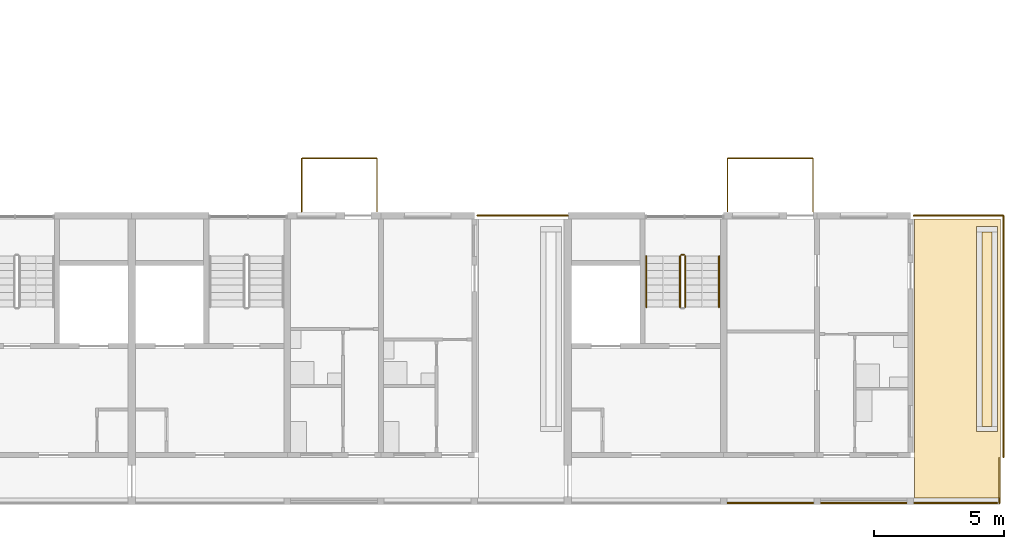
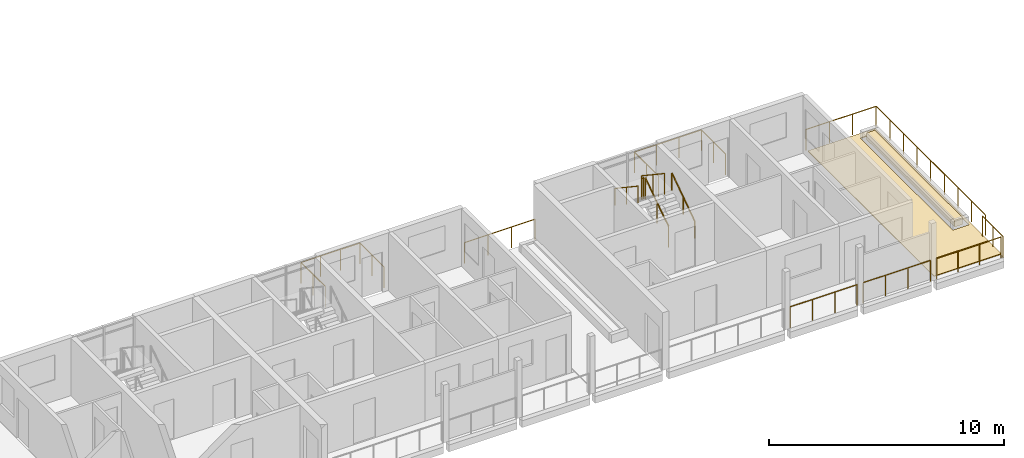
# One storey, part 52 of 55: 13 railings, 3 coverings.
"""IFC4 building model written with IfcOpenShell, lengths in metres."""

from ifc_helpers import new_model, si_unit, direction, frame, origin, origin_2d, place, context, subcontext, project, spatial, polyline, circle, outline, extrude, material, layer, layer_set, type_object, element, save


model = new_model("IFC4")

# Units and contexts
model_context = context("Model", 3, precision=1e-05, world=origin(), true_north=direction((0.0, 1.0)))
body_context = subcontext(model_context, "Body", "Model", "MODEL_VIEW")
ifc_project = project(units=[si_unit("LENGTHUNIT", "METRE"), si_unit("AREAUNIT", "SQUARE_METRE"), si_unit("VOLUMEUNIT", "CUBIC_METRE"), si_unit("PLANEANGLEUNIT", "RADIAN"), si_unit("MASSUNIT", "GRAM", prefix="KILO")], contexts=[model_context])

# Site, building, storey
site_placement = place(None, origin())
site = spatial("IfcSite", under=ifc_project, at=site_placement, CompositionType="ELEMENT")
building_placement = place(site_placement, origin())
building = spatial("IfcBuilding", under=site, at=building_placement, Name="Ridgestep Commons", CompositionType="ELEMENT")
storey_placement = place(building_placement, frame((0.0, 0.0, 36.0)))
storey = spatial("IfcBuildingStorey", under=building, at=storey_placement, Name="L12", CompositionType="ELEMENT", Elevation=36.0)

# Railings
ifc_material_1 = material(Name="Structural steel S355JR", Category="steel")
railing_type_1 = type_object("IfcRailingType", Name="Guard 1100", PredefinedType="GUARDRAIL", material=ifc_material_1)
railing_1_placement = place(storey_placement, frame((230.800048828125, 22.875, 0.0)))
element("IfcRailing", 1, at=railing_1_placement, inside=storey, type_object=railing_type_1, Name="Guard TD-D5R1-GD", PredefinedType="GUARDRAIL", context=body_context, shape_type="SweptSolid", body=[
    extrude(circle(Radius=0.02392578125, at=origin_2d()), frame((0.0, 0.0, 1.076171875), z_axis=(-1.0, 0.0, 0.0), x_axis=(0.0, -1.0, 0.0)), (0.0, 0.0, 1.0), 3.47900390625),
    extrude(circle(Radius=0.02099609375, at=origin_2d()), origin(), (0.0, 0.0, 1.0), 1.052001953125),
    extrude(circle(Radius=0.02099609375, at=origin_2d()), frame((-1.15966796875, 0.0, 0.0)), (0.0, 0.0, 1.0), 1.052001953125),
    extrude(circle(Radius=0.02099609375, at=origin_2d()), frame((-2.3193359375, 0.0, 0.0)), (0.0, 0.0, 1.0), 1.052001953125),
    extrude(circle(Radius=0.02099609375, at=origin_2d()), frame((-3.47900390625, 0.0, 0.0)), (0.0, 0.0, 1.0), 1.052001953125),
])
railing_2_placement = place(storey_placement, frame((247.5791015625, 13.571044921875, 0.0)))
element("IfcRailing", 2, at=railing_2_placement, inside=storey, type_object=railing_type_1, Name="Guard TD-D6R1-GD", PredefinedType="GUARDRAIL", context=body_context, shape_type="SweptSolid", body=[
    extrude(circle(Radius=0.02392578125, at=origin_2d()), frame((0.0, 0.0, 1.076171875), z_axis=(0.0, 1.0, 0.0), x_axis=(-1.0, 0.0, 0.0)), (0.0, 0.0, 1.0), 9.303955078125),
    extrude(circle(Radius=0.02392578125, at=origin_2d()), frame((0.0, 9.303955078125, 1.076171875), z_axis=(-1.0, 0.0, 0.0), x_axis=(0.0, -1.0, 0.0)), (0.0, 0.0, 1.0), 3.4580078125),
    extrude(circle(Radius=0.02099609375, at=origin_2d()), origin(), (0.0, 0.0, 1.0), 1.052001953125),
    extrude(circle(Radius=0.02099609375, at=origin_2d()), frame((0.0, 1.1630859375, 0.0)), (0.0, 0.0, 1.0), 1.052001953125),
    extrude(circle(Radius=0.02099609375, at=origin_2d()), frame((0.0, 2.325927734375, 0.0)), (0.0, 0.0, 1.0), 1.052001953125),
    extrude(circle(Radius=0.02099609375, at=origin_2d()), frame((0.0, 3.489013671875, 0.0)), (0.0, 0.0, 1.0), 1.052001953125),
    extrude(circle(Radius=0.02099609375, at=origin_2d()), frame((0.0, 4.65185546875, 0.0)), (0.0, 0.0, 1.0), 1.052001953125),
    extrude(circle(Radius=0.02099609375, at=origin_2d()), frame((0.0, 5.81494140625, 0.0)), (0.0, 0.0, 1.0), 1.052001953125),
    extrude(circle(Radius=0.02099609375, at=origin_2d()), frame((0.0, 6.97802734375, 0.0)), (0.0, 0.0, 1.0), 1.052001953125),
    extrude(circle(Radius=0.02099609375, at=origin_2d()), frame((0.0, 8.140869140625, 0.0)), (0.0, 0.0, 1.0), 1.052001953125),
    extrude(circle(Radius=0.02099609375, at=origin_2d()), frame((0.0, 9.303955078125, 0.0)), (0.0, 0.0, 1.0), 1.052001953125),
    extrude(circle(Radius=0.02099609375, at=origin_2d()), frame((-1.152587890625, 9.303955078125, 0.0)), (0.0, 0.0, 1.0), 1.052001953125),
    extrude(circle(Radius=0.02099609375, at=origin_2d()), frame((-2.305419921875, 9.303955078125, 0.0)), (0.0, 0.0, 1.0), 1.052001953125),
    extrude(circle(Radius=0.02099609375, at=origin_2d()), frame((-3.4580078125, 9.303955078125, 0.0)), (0.0, 0.0, 1.0), 1.052001953125),
])
railing_3_placement = place(storey_placement, frame((236.946044921875, 11.800048828125, 0.0)))
element("IfcRailing", 3, at=railing_3_placement, inside=storey, type_object=railing_type_1, Name="Gallery guard D 12.9", PredefinedType="GUARDRAIL", context=body_context, shape_type="SweptSolid", body=[
    extrude(circle(Radius=0.02392578125, at=origin_2d()), frame((0.0, 0.0, 1.076171875), z_axis=(1.0, 0.0, 0.0), x_axis=(0.0, 1.0, 0.0)), (0.0, 0.0, 1.0), 3.307861328125),
    extrude(circle(Radius=0.02099609375, at=origin_2d()), origin(), (0.0, 0.0, 1.0), 1.052001953125),
    extrude(circle(Radius=0.02099609375, at=origin_2d()), frame((1.1025390625, 0.0, 0.0)), (0.0, 0.0, 1.0), 1.052001953125),
    extrude(circle(Radius=0.02099609375, at=origin_2d()), frame((2.205322265625, 0.0, 0.0)), (0.0, 0.0, 1.0), 1.052001953125),
    extrude(circle(Radius=0.02099609375, at=origin_2d()), frame((3.307861328125, 0.0, 0.0)), (0.0, 0.0, 1.0), 1.052001953125),
])
railing_4_placement = place(storey_placement, frame((240.5458984375, 11.800048828125, 0.0)))
element("IfcRailing", 4, at=railing_4_placement, inside=storey, type_object=railing_type_1, Name="Gallery guard D 12.10", PredefinedType="GUARDRAIL", context=body_context, shape_type="SweptSolid", body=[
    extrude(circle(Radius=0.02392578125, at=origin_2d()), frame((0.0, 0.0, 1.076171875), z_axis=(1.0, 0.0, 0.0), x_axis=(0.0, 1.0, 0.0)), (0.0, 0.0, 1.0), 3.30810546875),
    extrude(circle(Radius=0.02099609375, at=origin_2d()), origin(), (0.0, 0.0, 1.0), 1.052001953125),
    extrude(circle(Radius=0.02099609375, at=origin_2d()), frame((1.102783203125, 0.0, 0.0)), (0.0, 0.0, 1.0), 1.052001953125),
    extrude(circle(Radius=0.02099609375, at=origin_2d()), frame((2.205322265625, 0.0, 0.0)), (0.0, 0.0, 1.0), 1.052001953125),
    extrude(circle(Radius=0.02099609375, at=origin_2d()), frame((3.30810546875, 0.0, 0.0)), (0.0, 0.0, 1.0), 1.052001953125),
])
railing_5_placement = place(storey_placement, frame((244.14599609375, 11.800048828125, 0.0)))
element("IfcRailing", 5, at=railing_5_placement, inside=storey, type_object=railing_type_1, Name="Gallery guard D 12.11", PredefinedType="GUARDRAIL", context=body_context, shape_type="SweptSolid", body=[
    extrude(circle(Radius=0.02392578125, at=origin_2d()), frame((0.0, 0.0, 1.076171875), z_axis=(1.0, 0.0, 0.0), x_axis=(0.0, 1.0, 0.0)), (0.0, 0.0, 1.0), 3.193115234375),
    extrude(circle(Radius=0.02099609375, at=origin_2d()), origin(), (0.0, 0.0, 1.0), 1.052001953125),
    extrude(circle(Radius=0.02099609375, at=origin_2d()), frame((1.064453125, 0.0, 0.0)), (0.0, 0.0, 1.0), 1.052001953125),
    extrude(circle(Radius=0.02099609375, at=origin_2d()), frame((2.128662109375, 0.0, 0.0)), (0.0, 0.0, 1.0), 1.052001953125),
    extrude(circle(Radius=0.02099609375, at=origin_2d()), frame((3.193115234375, 0.0, 0.0)), (0.0, 0.0, 1.0), 1.052001953125),
])
railing_6_placement = place(storey_placement, frame((247.428955078125, 11.800048828125, 0.0)))
element("IfcRailing", 6, at=railing_6_placement, inside=storey, type_object=railing_type_1, Name="Gallery end guard D 12.11E", PredefinedType="GUARDRAIL", context=body_context, shape_type="SweptSolid", body=[
    extrude(circle(Radius=0.02392578125, at=origin_2d()), frame((0.0, 0.0, 1.076171875), z_axis=(0.0, 1.0, 0.0), x_axis=(-1.0, 0.0, 0.0)), (0.0, 0.0, 1.0), 1.72900390625),
    extrude(circle(Radius=0.02099609375, at=origin_2d()), origin(), (0.0, 0.0, 1.0), 1.052001953125),
    extrude(circle(Radius=0.02099609375, at=origin_2d()), frame((0.0, 0.864501953125, 0.0)), (0.0, 0.0, 1.0), 1.052001953125),
    extrude(circle(Radius=0.02099609375, at=origin_2d()), frame((0.0, 1.72900390625, 0.0)), (0.0, 0.0, 1.0), 1.052001953125),
])

# Covering
ifc_material_2 = material(Name="Planting soil")
ifc_layer_1 = layer(ifc_material_2, 0.35009765625)
ifc_layer_set_1 = layer_set([ifc_layer_1], Name="Planting soil 350")
covering_type_1 = type_object("IfcCoveringType", Name="Planting soil 350", PredefinedType="FLOORING", material=ifc_layer_set_1)
covering_1_placement = place(storey_placement, frame((0.0, 0.0, 0.010009765625)))
element("IfcCovering", 7, at=covering_1_placement, inside=storey, type_object=covering_type_1, Name="Planting soil D6R1", PredefinedType="FLOORING", context=body_context, shape_type="SweptSolid", body=[
    extrude(outline(polyline([(246.75, 14.75), (247.14990234375, 14.75), (247.14990234375, 22.25), (246.75, 22.25), (246.75, 14.75)])), origin(), (0.0, 0.0, 1.0), 0.35009765625),
])

# Railings
ifc_material_3 = material(Name="Structural steel S355JR", Category="steel")
railing_type_2 = type_object("IfcRailingType", Name="Stair guard 1100", PredefinedType="GUARDRAIL", material=ifc_material_3)
railing_7_placement = place(storey_placement, frame((235.324951171875, 19.35009765625, 0.1875)))
element("IfcRailing", 8, at=railing_7_placement, inside=storey, type_object=railing_type_2, Name="L12 D6C stair guard 1", PredefinedType="GUARDRAIL", context=body_context, shape_type="SweptSolid", body=[
    extrude(circle(Radius=0.02392578125, at=origin_2d()), frame((0.0, 0.0, 1.076171875), z_axis=(0.0, 0.830902050051, 0.556418712142), x_axis=(-1.0, 0.0, 0.0)), (0.0, 0.0, 1.0), 2.35888671875),
    extrude(circle(Radius=0.02099609375, at=origin_2d()), origin(), (0.0, 0.0, 1.0), 1.052001953125),
    extrude(circle(Radius=0.02099609375, at=origin_2d()), frame((0.0, 0.97998046875, 0.65625)), (0.0, 0.0, 1.0), 1.052001953125),
    extrude(circle(Radius=0.02099609375, at=origin_2d()), frame((0.0, 1.9599609375, 1.3125)), (0.0, 0.0, 1.0), 1.052001953125),
])
railing_8_placement = place(storey_placement, frame((235.27490234375, 21.360107421875, 1.5)))
element("IfcRailing", 9, at=railing_8_placement, inside=storey, type_object=railing_type_2, Name="L12 D6C stair guard 2", PredefinedType="GUARDRAIL", context=body_context, shape_type="SweptSolid", body=[
    extrude(circle(Radius=0.02392578125, at=origin_2d()), frame((0.0, 0.0, 1.076171875), z_axis=(-1.0, 0.0, 0.0), x_axis=(0.0, -1.0, 0.0)), (0.0, 0.0, 1.0), 0.099853515625),
    extrude(circle(Radius=0.02099609375, at=origin_2d()), origin(), (0.0, 0.0, 1.0), 1.052001953125),
    extrude(circle(Radius=0.02099609375, at=origin_2d()), frame((-0.099853515625, 0.0, 0.0)), (0.0, 0.0, 1.0), 1.052001953125),
])
railing_9_placement = place(storey_placement, frame((235.125, 21.31005859375, 1.6875)))
element("IfcRailing", 10, at=railing_9_placement, inside=storey, type_object=railing_type_2, Name="L12 D6C stair guard 3", PredefinedType="GUARDRAIL", context=body_context, shape_type="SweptSolid", body=[
    extrude(circle(Radius=0.02392578125, at=origin_2d()), frame((0.0, 0.0, 1.076171875), z_axis=(0.0, -0.830902050051, 0.556418712142), x_axis=(1.0, 0.0, 0.0)), (0.0, 0.0, 1.0), 2.35888671875),
    extrude(circle(Radius=0.02099609375, at=origin_2d()), origin(), (0.0, 0.0, 1.0), 1.052001953125),
    extrude(circle(Radius=0.02099609375, at=origin_2d()), frame((0.0, -0.97998046875, 0.65625)), (0.0, 0.0, 1.0), 1.052001953125),
    extrude(circle(Radius=0.02099609375, at=origin_2d()), frame((0.0, -1.9599609375, 1.3125)), (0.0, 0.0, 1.0), 1.052001953125),
])
ifc_material_4 = material(Name="Structural steel S355JR", Category="steel")
railing_type_3 = type_object("IfcRailingType", Name="Stair handrail 900", PredefinedType="HANDRAIL", material=ifc_material_4)
railing_10_placement = place(storey_placement, frame((236.625, 19.35009765625, 0.1875)))
element("IfcRailing", 11, at=railing_10_placement, inside=storey, type_object=railing_type_3, Name="L12 D6C stair handrail 1", PredefinedType="HANDRAIL", context=body_context, shape_type="SweptSolid", body=[
    extrude(circle(Radius=0.02392578125, at=origin_2d()), frame((0.0, 0.0, 0.8759765625), z_axis=(0.0, 0.830902050051, 0.556418712142), x_axis=(-1.0, 0.0, 0.0)), (0.0, 0.0, 1.0), 2.35888671875),
    extrude(circle(Radius=0.02099609375, at=origin_2d()), origin(), (0.0, 0.0, 1.0), 0.851806640625),
    extrude(circle(Radius=0.02099609375, at=origin_2d()), frame((0.0, 0.97998046875, 0.65625)), (0.0, 0.0, 1.0), 0.851806640625),
    extrude(circle(Radius=0.02099609375, at=origin_2d()), frame((0.0, 1.9599609375, 1.3125)), (0.0, 0.0, 1.0), 0.851806640625),
])
railing_11_placement = place(storey_placement, frame((233.824951171875, 21.31005859375, 1.6875)))
element("IfcRailing", 12, at=railing_11_placement, inside=storey, type_object=railing_type_3, Name="L12 D6C stair handrail 2", PredefinedType="HANDRAIL", context=body_context, shape_type="SweptSolid", body=[
    extrude(circle(Radius=0.02392578125, at=origin_2d()), frame((0.0, 0.0, 0.8759765625), z_axis=(0.0, -0.830902050051, 0.556418712142), x_axis=(1.0, 0.0, 0.0)), (0.0, 0.0, 1.0), 2.35888671875),
    extrude(circle(Radius=0.02099609375, at=origin_2d()), origin(), (0.0, 0.0, 1.0), 0.851806640625),
    extrude(circle(Radius=0.02099609375, at=origin_2d()), frame((0.0, -0.97998046875, 0.65625)), (0.0, 0.0, 1.0), 0.851806640625),
    extrude(circle(Radius=0.02099609375, at=origin_2d()), frame((0.0, -1.9599609375, 1.3125)), (0.0, 0.0, 1.0), 0.851806640625),
])

# Coverings
ifc_material_5 = material(Name="Bitumen membrane, two layer")
ifc_layer_2 = layer(ifc_material_5, 0.010009765625)
ifc_layer_set_2 = layer_set([ifc_layer_2], Name="Terrace membrane 10")
covering_type_2 = type_object("IfcCoveringType", Name="Terrace membrane 10", PredefinedType="ROOFING", material=ifc_layer_set_2)
covering_2_placement = place(storey_placement, origin())
element("IfcCovering", 13, at=covering_2_placement, inside=storey, type_object=covering_type_2, Name="Terrace membrane D6R1", PredefinedType="ROOFING", context=body_context, shape_type="SweptSolid", body=[
    extrude(outline(polyline([(247.47509765625, 12.0), (247.47509765625, 22.75), (244.14990234375, 22.75), (244.14990234375, 12.0), (247.47509765625, 12.0)]), holes=[polyline([(247.35009765625, 14.550048828125), (247.35009765625, 22.449951171875), (246.550048828125, 22.449951171875), (246.550048828125, 14.550048828125), (247.35009765625, 14.550048828125)])]), origin(), (0.0, 0.0, 1.0), 0.010009765625),
])
ifc_material_6 = material(Name="Concrete paving slab", Category="concrete")
ifc_layer_3 = layer(ifc_material_6, 0.030029296875)
ifc_layer_set_3 = layer_set([ifc_layer_3], Name="Terrace paving 30")
covering_type_3 = type_object("IfcCoveringType", Name="Terrace paving 30", PredefinedType="FLOORING", material=ifc_layer_set_3)
covering_3_placement = place(storey_placement, frame((0.0, 0.0, 0.010009765625)))
element("IfcCovering", 14, at=covering_3_placement, inside=storey, type_object=covering_type_3, Name="Terrace paving D6R1", PredefinedType="FLOORING", context=body_context, shape_type="SweptSolid", body=[
    extrude(outline(polyline([(247.47509765625, 12.0), (247.47509765625, 22.75), (244.14990234375, 22.75), (244.14990234375, 12.0), (247.47509765625, 12.0)]), holes=[polyline([(247.35009765625, 14.550048828125), (247.35009765625, 22.449951171875), (246.550048828125, 22.449951171875), (246.550048828125, 14.550048828125), (247.35009765625, 14.550048828125)])]), origin(), (0.0, 0.0, 1.0), 0.030029296875),
])

# Railings
ifc_material_7 = material(Name="Weathering steel S355J2W", Category="steel")
railing_type_4 = type_object("IfcRailingType", Name="Tray guard 1100", PredefinedType="GUARDRAIL", material=ifc_material_7)
railing_12_placement = place(storey_placement, frame((236.950927734375, 23.02099609375, 0.0)))
element("IfcRailing", 15, at=railing_12_placement, inside=storey, type_object=railing_type_4, Name="Tray guard D6T3-12", PredefinedType="GUARDRAIL", context=body_context, shape_type="SweptSolid", body=[
    extrude(circle(Radius=0.02392578125, at=origin_2d()), frame((0.0, 0.0, 1.076171875), z_axis=(0.0, 1.0, 0.0), x_axis=(-1.0, 0.0, 0.0)), (0.0, 0.0, 1.0), 2.05810546875),
    extrude(circle(Radius=0.02392578125, at=origin_2d()), frame((0.0, 2.05810546875, 1.076171875), z_axis=(1.0, 0.0, 0.0), x_axis=(0.0, 1.0, 0.0)), (0.0, 0.0, 1.0), 3.298095703125),
    extrude(circle(Radius=0.02392578125, at=origin_2d()), frame((3.298095703125, 2.05810546875, 1.076171875), z_axis=(0.0, -1.0, 0.0), x_axis=(1.0, 0.0, 0.0)), (0.0, 0.0, 1.0), 2.05810546875),
    extrude(circle(Radius=0.02099609375, at=origin_2d()), origin(), (0.0, 0.0, 1.0), 1.052001953125),
    extrude(circle(Radius=0.02099609375, at=origin_2d()), frame((0.0, 1.029052734375, 0.0)), (0.0, 0.0, 1.0), 1.052001953125),
    extrude(circle(Radius=0.02099609375, at=origin_2d()), frame((0.0, 2.05810546875, 0.0)), (0.0, 0.0, 1.0), 1.052001953125),
    extrude(circle(Radius=0.02099609375, at=origin_2d()), frame((1.099365234375, 2.05810546875, 0.0)), (0.0, 0.0, 1.0), 1.052001953125),
    extrude(circle(Radius=0.02099609375, at=origin_2d()), frame((2.19873046875, 2.05810546875, 0.0)), (0.0, 0.0, 1.0), 1.052001953125),
    extrude(circle(Radius=0.02099609375, at=origin_2d()), frame((3.298095703125, 2.05810546875, 0.0)), (0.0, 0.0, 1.0), 1.052001953125),
    extrude(circle(Radius=0.02099609375, at=origin_2d()), frame((3.298095703125, 1.029052734375, 0.0)), (0.0, 0.0, 1.0), 1.052001953125),
    extrude(circle(Radius=0.02099609375, at=origin_2d()), frame((3.298095703125, 0.0, 0.0)), (0.0, 0.0, 1.0), 1.052001953125),
])
railing_13_placement = place(storey_placement, frame((220.551025390625, 23.02099609375, 0.0)))
element("IfcRailing", 16, at=railing_13_placement, inside=storey, type_object=railing_type_4, Name="Tray guard D5T3-12", PredefinedType="GUARDRAIL", context=body_context, shape_type="SweptSolid", body=[
    extrude(circle(Radius=0.02392578125, at=origin_2d()), frame((0.0, 0.0, 1.076171875), z_axis=(0.0, 1.0, 0.0), x_axis=(-1.0, 0.0, 0.0)), (0.0, 0.0, 1.0), 2.05810546875),
    extrude(circle(Radius=0.02392578125, at=origin_2d()), frame((0.0, 2.05810546875, 1.076171875), z_axis=(1.0, 0.0, 0.0), x_axis=(0.0, 1.0, 0.0)), (0.0, 0.0, 1.0), 2.89794921875),
    extrude(circle(Radius=0.02392578125, at=origin_2d()), frame((2.89794921875, 2.05810546875, 1.076171875), z_axis=(0.0, -1.0, 0.0), x_axis=(1.0, 0.0, 0.0)), (0.0, 0.0, 1.0), 2.05810546875),
    extrude(circle(Radius=0.02099609375, at=origin_2d()), origin(), (0.0, 0.0, 1.0), 1.052001953125),
    extrude(circle(Radius=0.02099609375, at=origin_2d()), frame((0.0, 1.029052734375, 0.0)), (0.0, 0.0, 1.0), 1.052001953125),
    extrude(circle(Radius=0.02099609375, at=origin_2d()), frame((0.0, 2.05810546875, 0.0)), (0.0, 0.0, 1.0), 1.052001953125),
    extrude(circle(Radius=0.02099609375, at=origin_2d()), frame((0.966064453125, 2.05810546875, 0.0)), (0.0, 0.0, 1.0), 1.052001953125),
    extrude(circle(Radius=0.02099609375, at=origin_2d()), frame((1.931884765625, 2.05810546875, 0.0)), (0.0, 0.0, 1.0), 1.052001953125),
    extrude(circle(Radius=0.02099609375, at=origin_2d()), frame((2.89794921875, 2.05810546875, 0.0)), (0.0, 0.0, 1.0), 1.052001953125),
    extrude(circle(Radius=0.02099609375, at=origin_2d()), frame((2.89794921875, 1.029052734375, 0.0)), (0.0, 0.0, 1.0), 1.052001953125),
    extrude(circle(Radius=0.02099609375, at=origin_2d()), frame((2.89794921875, 0.0, 0.0)), (0.0, 0.0, 1.0), 1.052001953125),
])

save(model, "model.ifc")
